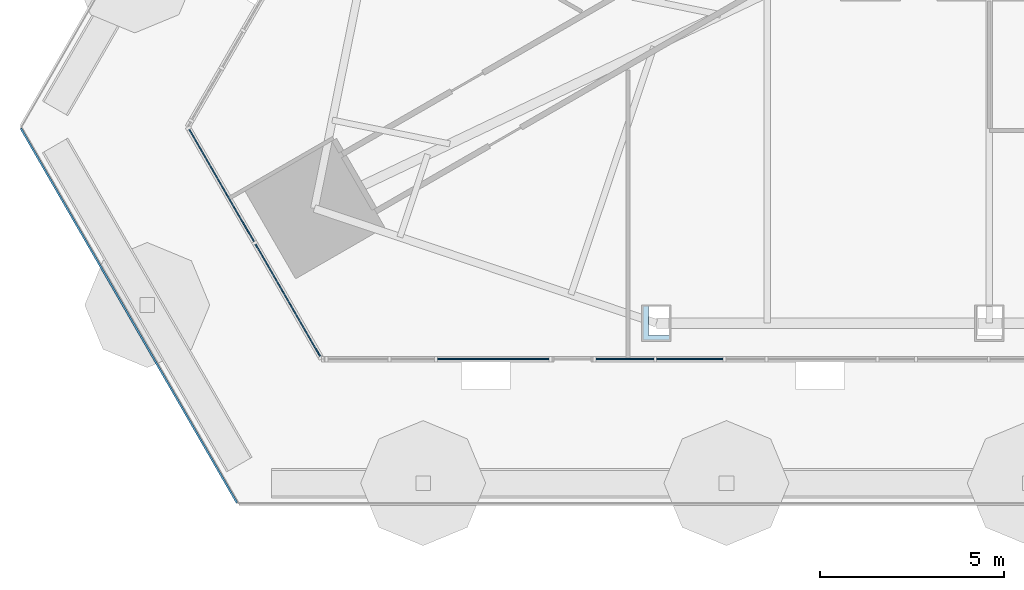
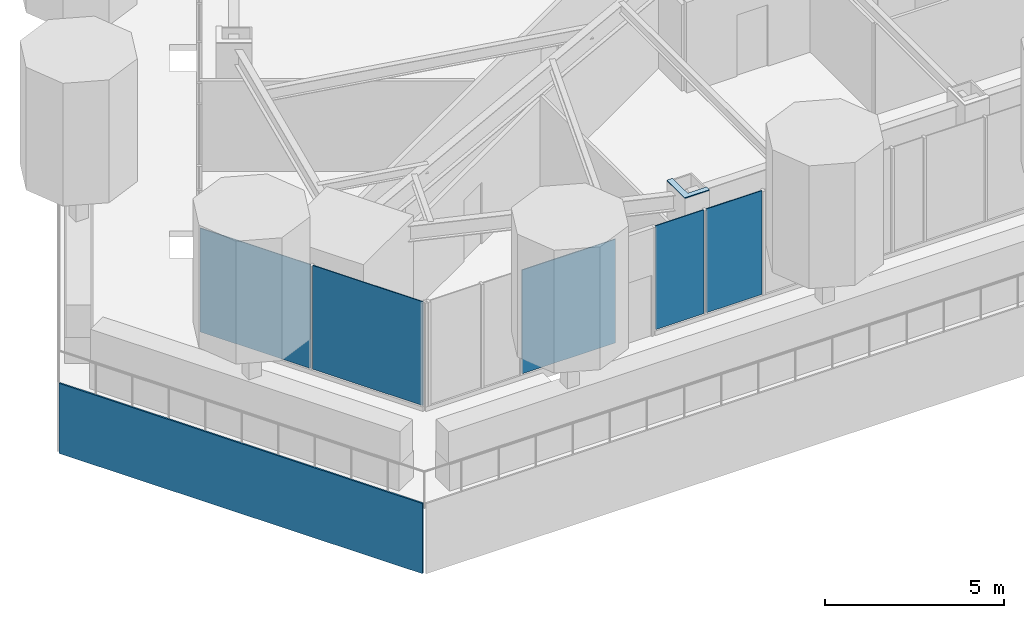
# One storey, part 15 of 32: 7 plates, 2 elements without a shape of their own.
"""IFC4 building model written with IfcOpenShell, lengths in metres."""

from ifc_helpers import new_model, si_unit, direction, frame, origin, place, context, subcontext, project, spatial, polyline, outline, extrude, material, layer, layer_set, type_object, element, aggregate, save


model = new_model("IFC4")

# Units and contexts
model_context = context("Model", 3, precision=1e-05, world=origin(), true_north=direction((0.0, 1.0)))
body_context = subcontext(model_context, "Body", "Model", "MODEL_VIEW")
ifc_project = project(units=[si_unit("LENGTHUNIT", "METRE"), si_unit("AREAUNIT", "SQUARE_METRE"), si_unit("VOLUMEUNIT", "CUBIC_METRE"), si_unit("PLANEANGLEUNIT", "RADIAN"), si_unit("MASSUNIT", "GRAM", prefix="KILO")], contexts=[model_context])

# Site, building, storey
site_placement = place(None, origin())
site = spatial("IfcSite", under=ifc_project, at=site_placement, CompositionType="ELEMENT")
building_placement = place(site_placement, origin())
building = spatial("IfcBuilding", under=site, at=building_placement, Name="Firuza Gate Tower and Library", CompositionType="ELEMENT")
storey_placement = place(building_placement, frame((0.0, 0.0, 163.60009765625)))
storey = spatial("IfcBuildingStorey", under=building, at=storey_placement, Name="L37", CompositionType="ELEMENT", Elevation=163.60009765625)

# Plate
ifc_material_1 = material(Name="Steel S355", Category="steel")
ifc_layer_1 = layer(ifc_material_1, 0.030029296875)
ifc_layer_set_1 = layer_set([ifc_layer_1], Name="Column infill plate 30 Steel S355")
plate_type_1 = type_object("IfcPlateType", Name="Column infill plate 30 Steel S355", PredefinedType="SHEET", material=ifc_layer_set_1)
plate_1_placement = place(storey_placement, frame((0.0, 0.0, 3.89990234375)))
element("IfcPlate", 1, at=plate_1_placement, inside=storey, type_object=plate_type_1, Name="Infill plate L37:S1", PredefinedType="SHEET", context=body_context, shape_type="SweptSolid", body=[
    extrude(outline(polyline([(57.2919921875, 55.56103515625), (57.2919921875, 55.720458984375), (56.676025390625, 55.720458984375), (56.676025390625, 56.56103515625), (56.491943359375, 56.56103515625), (56.491943359375, 55.56103515625), (57.2919921875, 55.56103515625)])), origin(), (0.0, 0.0, 1.0), 0.030029296875),
])

# Curtain wall, plates
ifc_material_2 = material(Name="Aluminium 6063-T6", Category="aluminium")
ifc_layer_2 = layer(ifc_material_2, 0.14990234375)
ifc_layer_set_2 = layer_set([ifc_layer_2], Name="Corner curtain wall, chamfers")
curtain_wall_type_1 = type_object("IfcCurtainWallType", Name="Corner curtain wall, chamfers", PredefinedType="NOTDEFINED", material=ifc_layer_set_2)
placement = place(storey_placement, origin())
curtain_wall_1 = element("IfcCurtainWall", 2, at=placement, inside=storey, type_object=curtain_wall_type_1, Name="CW4 L37 SW corner", PredefinedType="NOTDEFINED")
ifc_material_3 = material(Name="Fritted glass", Category="glass")
ifc_layer_3 = layer(ifc_material_3, 0.030029296875)
ifc_layer_set_3 = layer_set([ifc_layer_3], Name="Fritted glass unit, corners")
plate_type_2 = type_object("IfcPlateType", Name="Fritted glass unit, corners", PredefinedType="CURTAIN_PANEL", material=ifc_layer_set_3)
plate_2_placement = place(storey_placement, frame((44.158447265625, 61.3544921875, 0.14990234375), z_axis=(-0.866016723041, -0.500015035186, 0.0), x_axis=(0.500015035186, -0.866016723041, 0.0)))
plate_2 = element("IfcPlate", 3, at=plate_2_placement, type_object=plate_type_2, Name="Glass unit", PredefinedType="CURTAIN_PANEL", context=body_context, shape_type="SweptSolid", body=[
    extrude(outline(polyline([(0.0, 0.0), (3.5633694106530625, 0.0), (3.5633694106530625, 3.550048828125), (0.0, 3.550048828125), (0.0, 0.0)])), origin(), (0.0, 0.0, -1.0), 0.030029296875),
])
plate_3_placement = place(storey_placement, frame((45.980224609375, 58.19921875, 0.14990234375), z_axis=(-0.866046390552, -0.49996364809, 0.0), x_axis=(0.49996364809, -0.866046390552, 0.0)))
plate_3 = element("IfcPlate", 4, at=plate_3_placement, type_object=plate_type_2, Name="Glass unit", PredefinedType="CURTAIN_PANEL", context=body_context, shape_type="SweptSolid", body=[
    extrude(outline(polyline([(0.0, 0.0), (3.563247342942594, 0.0), (3.563247342942594, 3.550048828125), (0.0, 3.550048828125), (0.0, 0.0)])), origin(), (0.0, 0.0, -1.0), 0.030029296875),
])
aggregate(curtain_wall_1, [plate_2, plate_3])

ifc_material_4 = material(Name="Aluminium 6063-T6", Category="aluminium")
ifc_layer_4 = layer(ifc_material_4, 0.14990234375)
ifc_layer_set_4 = layer_set([ifc_layer_4], Name="Unitised curtain wall, hotel")
curtain_wall_type_2 = type_object("IfcCurtainWallType", Name="Unitised curtain wall, hotel", PredefinedType="NOTDEFINED", material=ifc_layer_set_4)
curtain_wall_2 = element("IfcCurtainWall", 5, at=placement, inside=storey, type_object=curtain_wall_type_2, Name="CW2 L37 S face", PredefinedType="NOTDEFINED")
ifc_material_5 = material(Name="Fritted glass", Category="glass")
ifc_layer_5 = layer(ifc_material_5, 0.030029296875)
ifc_layer_set_5 = layer_set([ifc_layer_5], Name="Fritted glass unit, hotel")
plate_type_3 = type_object("IfcPlateType", Name="Fritted glass unit, hotel", PredefinedType="CURTAIN_PANEL", material=ifc_layer_set_5)
plate_4_placement = place(storey_placement, frame((55.2548828125, 55.071044921875, 0.14990234375), z_axis=(0.0, -1.0, 0.0), x_axis=(1.0, 0.0, 0.0)))
plate_4 = element("IfcPlate", 6, at=plate_4_placement, type_object=plate_type_3, Name="Glass unit", PredefinedType="CURTAIN_PANEL", context=body_context, shape_type="SweptSolid", body=[
    extrude(outline(polyline([(0.0, 0.0), (1.568359375, 0.0), (1.568359375, 3.550048828125), (0.0, 3.550048828125), (0.0, 0.0)])), origin(), (0.0, 0.0, -1.0), 0.030029296875),
])
plate_5_placement = place(storey_placement, frame((56.903076171875, 55.071044921875, 0.14990234375), z_axis=(0.0, -1.0, 0.0), x_axis=(1.0, 0.0, 0.0)))
plate_5 = element("IfcPlate", 7, at=plate_5_placement, type_object=plate_type_3, Name="Glass unit", PredefinedType="CURTAIN_PANEL", context=body_context, shape_type="SweptSolid", body=[
    extrude(outline(polyline([(0.0, 0.0), (1.79833984375, 0.0), (1.79833984375, 3.550048828125), (0.0, 3.550048828125), (0.0, 0.0)])), origin(), (0.0, 0.0, -1.0), 0.030029296875),
])
ifc_material_6 = material(Name="Glazed ceramic tile")
ifc_layer_6 = layer(ifc_material_6, 0.030029296875)
ifc_layer_set_6 = layer_set([ifc_layer_6], Name="Opaque ceramic panel, hotel")
plate_type_4 = type_object("IfcPlateType", Name="Opaque ceramic panel, hotel", PredefinedType="CURTAIN_PANEL", material=ifc_layer_set_6)
plate_6_placement = place(storey_placement, frame((50.94482421875, 55.071044921875, 0.14990234375), z_axis=(0.0, -1.0, 0.0), x_axis=(1.0, 0.0, 0.0)))
plate_6 = element("IfcPlate", 8, at=plate_6_placement, type_object=plate_type_4, Name="Opaque ceramic panel", PredefinedType="CURTAIN_PANEL", context=body_context, shape_type="SweptSolid", body=[
    extrude(outline(polyline([(0.0, 0.0), (3.030029296875, 0.0), (3.030029296875, 3.550048828125), (0.0, 3.550048828125), (0.0, 0.0)])), origin(), (0.0, 0.0, -1.0), 0.030029296875),
])
aggregate(curtain_wall_2, [plate_6, plate_4, plate_5])

# Plate
ifc_material_7 = material(Name="Aluminium 6063-T6", Category="aluminium")
ifc_layer_7 = layer(ifc_material_7, 0.050048828125)
ifc_layer_set_7 = layer_set([ifc_layer_7], Name="Tray fascia panel 50")
plate_type_5 = type_object("IfcPlateType", Name="Tray fascia panel 50", PredefinedType="SHEET", material=ifc_layer_set_7)
plate_7_placement = place(storey_placement, frame((39.591064453125, 61.345947265625, -2.400146484375), z_axis=(-0.866052479261, -0.499953100966, 0.0), x_axis=(0.499953100966, -0.866052479261, 0.0)))
element("IfcPlate", 9, at=plate_7_placement, inside=storey, type_object=plate_type_5, Name="Tray fascia L37 2", PredefinedType="SHEET", context=body_context, shape_type="SweptSolid", body=[
    extrude(outline(polyline([(0.0, 0.0), (11.758915463545884, 0.0), (11.758915463545884, 2.400146484375), (0.0, 2.400146484375), (0.0, 0.0)])), origin(), (0.0, 0.0, -1.0), 0.050048828125),
])

save(model, "model.ifc")
